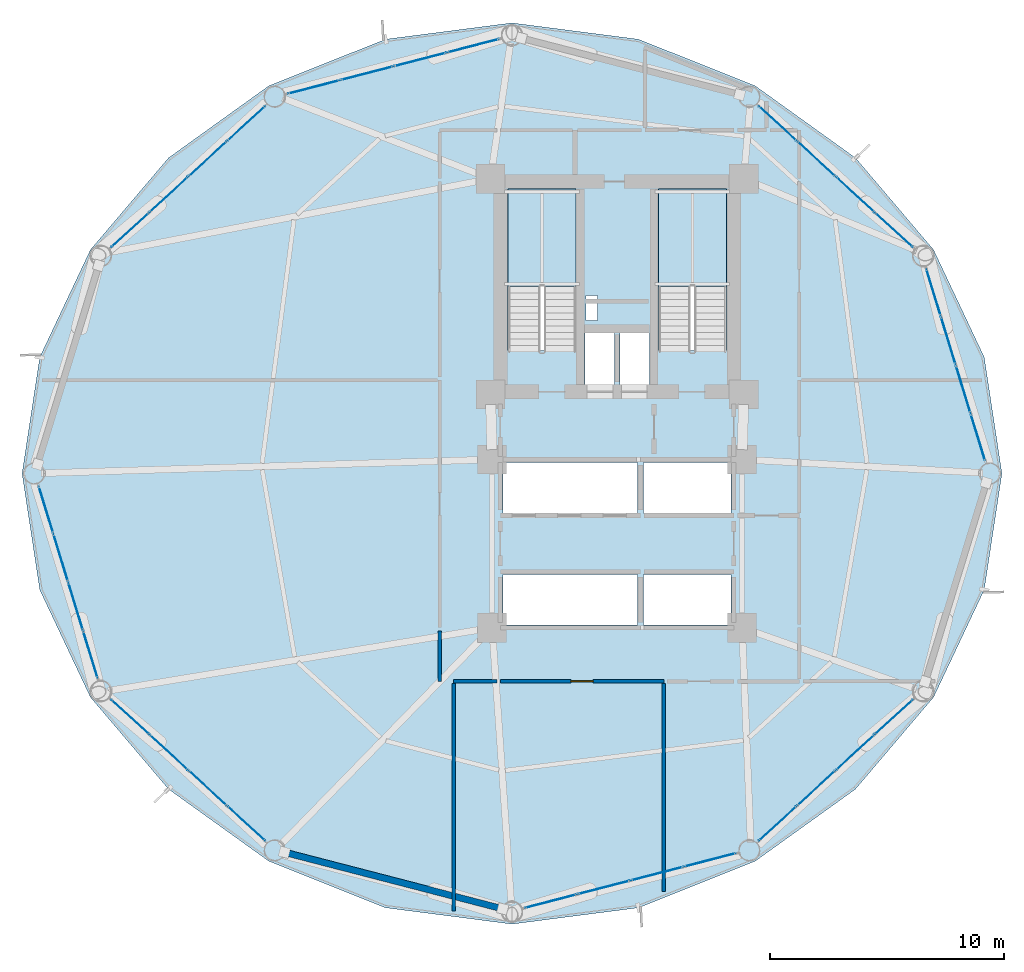
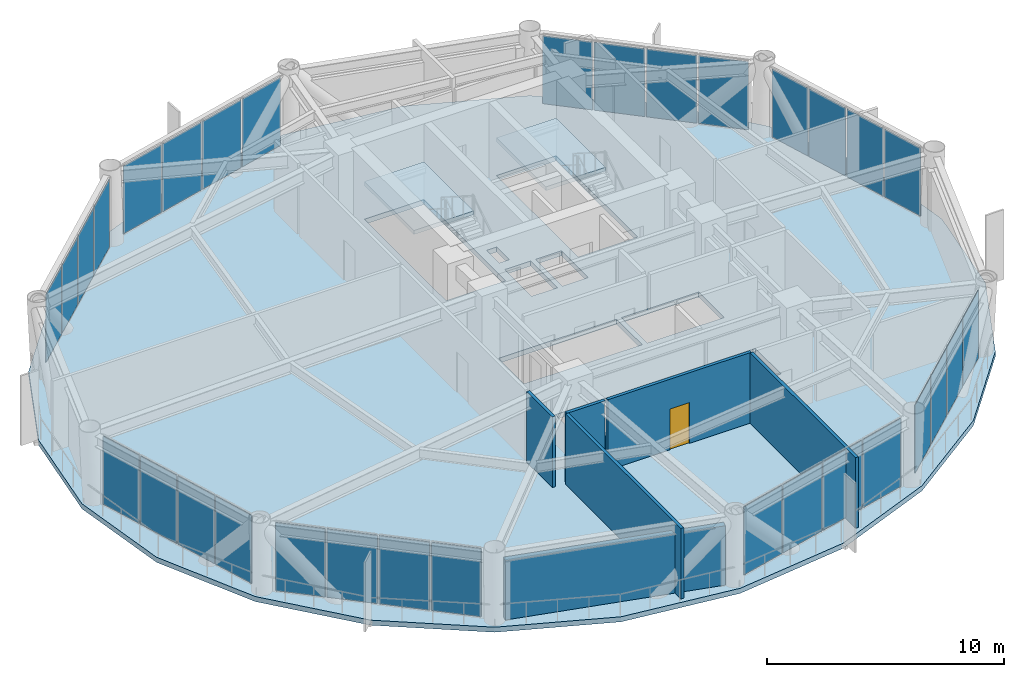
# One storey, part 20 of 25: 32 plates, 6 walls, 3 slabs, 1 door, 1 opening, 10 elements without a shape of their own.
"""IFC4 building model written with IfcOpenShell, lengths in metres."""

from ifc_helpers import new_model, si_unit, direction, frame, frame_2d, origin, origin_2d, place, context, subcontext, project, spatial, polyline, rectangle, outline, extrude, source, transform, mapped, material, layer, layer_set, type_object, type_shapes, element, fill, aggregate, save


model = new_model("IFC4")

# Units and contexts
model_context = context("Model", 3, precision=1e-05, world=origin(), true_north=direction((0.0, 1.0)))
body_context = subcontext(model_context, "Body", "Model", "MODEL_VIEW")
ifc_project = project(units=[si_unit("LENGTHUNIT", "METRE"), si_unit("AREAUNIT", "SQUARE_METRE"), si_unit("VOLUMEUNIT", "CUBIC_METRE"), si_unit("PLANEANGLEUNIT", "RADIAN"), si_unit("MASSUNIT", "GRAM", prefix="KILO")], contexts=[model_context])

# Site, building, storey
site_placement = place(None, origin())
site = spatial("IfcSite", under=ifc_project, at=site_placement, CompositionType="ELEMENT")
building_placement = place(site_placement, origin())
building = spatial("IfcBuilding", under=site, at=building_placement, Name="Varnakorn Sky Granary", CompositionType="ELEMENT")
storey_placement = place(building_placement, frame((0.0, 0.0, 35.39990234375)))
storey = spatial("IfcBuildingStorey", under=building, at=storey_placement, Name="L08", CompositionType="ELEMENT", Elevation=35.39990234375)

# Stair, slab
ifc_material_1 = material(Name="Concrete C40/50", Category="concrete")
stair_type = type_object("IfcStairType", Name="ST-MAIN-ASSEMBLY", PredefinedType="HALF_TURN_STAIR", material=ifc_material_1)
stair_1_placement = place(storey_placement, origin())
stair_1 = element("IfcStair", 1, at=stair_1_placement, inside=storey, type_object=stair_type, Name="L08 Protected Exit Stair ST-1", PredefinedType="HALF_TURN_STAIR")
ifc_layer_1 = layer(ifc_material_1, 0.199951171875, Name="Concrete C40/50")
ifc_layer_set_1 = layer_set([ifc_layer_1], Name="Concrete C40/50")
slab_type_1 = type_object("IfcSlabType", Name="ST-MAIN-LAND", PredefinedType="LANDING", material=ifc_layer_set_1)
slab_1_placement = place(storey_placement, frame((0.0, 0.0, 1.75)))
slab_1 = element("IfcSlab", 2, at=slab_1_placement, type_object=slab_type_1, Name="ST-1 landing 1", PredefinedType="LANDING", context=body_context, shape_type="SweptSolid", body=[
    extrude(outline(polyline([(1.239990234375, 8.0), (1.239990234375, 12.179931640625), (-1.669921875, 12.179931640625), (-1.669921875, 8.0), (1.239990234375, 8.0)])), origin(), (0.0, 0.0, 1.0), 0.2001953125),
])
aggregate(stair_1, [slab_1])

stair_2_placement = place(storey_placement, origin())
stair_2 = element("IfcStair", 3, at=stair_2_placement, inside=storey, type_object=stair_type, Name="L08 Protected Exit Stair ST-2", PredefinedType="HALF_TURN_STAIR")
slab_2_placement = place(storey_placement, frame((0.0, 0.0, 1.75)))
slab_2 = element("IfcSlab", 4, at=slab_2_placement, type_object=slab_type_1, Name="ST-2 landing 1", PredefinedType="LANDING", context=body_context, shape_type="SweptSolid", body=[
    extrude(outline(polyline([(7.679931640625, 8.0), (7.679931640625, 12.179931640625), (4.77001953125, 12.179931640625), (4.77001953125, 8.0), (7.679931640625, 8.0)])), origin(), (0.0, 0.0, 1.0), 0.2001953125),
])
aggregate(stair_2, [slab_2])

# Slab
ifc_material_2 = material(Name="Concrete C50/60", Category="concrete")
ifc_layer_2 = layer(ifc_material_2, 0.260009765625, Name="Concrete C50/60")
ifc_layer_set_2 = layer_set([ifc_layer_2], Name="Concrete C50/60")
slab_type_2 = type_object("IfcSlabType", Name="ST-SL-TWR-260", PredefinedType="FLOOR", material=ifc_layer_set_2)
slab_3_placement = place(storey_placement, frame((0.0, 0.0, -0.260009765625)))
element("IfcSlab", 5, at=slab_3_placement, inside=storey, type_object=slab_type_2, Name="Level L08 Structural Floor Slab", PredefinedType="FLOOR", context=body_context, shape_type="SweptSolid", body=[
    extrude(outline(polyline([(19.47412109375, 0.0), (18.7158203125, 4.981201171875), (16.547119140625, 9.577880859375), (13.20361328125, 13.513427734375), (8.91943359375, 16.589599609375), (3.916748046875, 18.590087890625), (-1.5, 19.291015625), (-6.916748046875, 18.590087890625), (-11.91943359375, 16.589599609375), (-16.20361328125, 13.513427734375), (-19.547119140625, 9.577880859375), (-21.7158203125, 4.981201171875), (-22.47412109375, 0.0), (-21.7158203125, -4.981201171875), (-19.547119140625, -9.577880859375), (-16.20361328125, -13.513427734375), (-11.91943359375, -16.589599609375), (-6.916748046875, -18.590087890625), (-1.5, -19.291015625), (3.916748046875, -18.590087890625), (8.91943359375, -16.589599609375), (13.20361328125, -13.513427734375), (16.547119140625, -9.577880859375), (18.7158203125, -4.981201171875), (19.47412109375, 0.0)]), holes=[polyline([(1.239990234375, 5.27490234375), (1.239990234375, 12.179931640625), (-1.669921875, 12.179931640625), (-1.669921875, 5.27490234375), (1.239990234375, 5.27490234375)]), polyline([(7.679931640625, 5.27490234375), (7.679931640625, 12.179931640625), (4.77001953125, 12.179931640625), (4.77001953125, 5.27490234375), (7.679931640625, 5.27490234375)]), polyline([(1.659912109375, 6.550048828125), (2.14990234375, 6.550048828125), (2.14990234375, 7.6201171875), (1.659912109375, 7.6201171875), (1.659912109375, 6.550048828125)]), polyline([(1.6201171875, 3.739990234375), (2.8798828125, 3.739990234375), (2.8798828125, 6.010009765625), (1.6201171875, 6.010009765625), (1.6201171875, 3.739990234375)]), polyline([(3.1201171875, 3.739990234375), (4.3798828125, 3.739990234375), (4.3798828125, 6.010009765625), (3.1201171875, 6.010009765625), (3.1201171875, 3.739990234375)]), polyline([(-1.8798828125, -1.679931640625), (3.8798828125, -1.679931640625), (3.8798828125, 0.47998046875), (-1.8798828125, 0.47998046875), (-1.8798828125, -1.679931640625)]), polyline([(4.1201171875, -1.679931640625), (7.8798828125, -1.679931640625), (7.8798828125, 0.47998046875), (4.1201171875, 0.47998046875), (4.1201171875, -1.679931640625)]), polyline([(-1.8798828125, -6.47998046875), (3.8798828125, -6.47998046875), (3.8798828125, -4.320068359375), (-1.8798828125, -4.320068359375), (-1.8798828125, -6.47998046875)]), polyline([(4.1201171875, -6.47998046875), (7.8798828125, -6.47998046875), (7.8798828125, -4.320068359375), (4.1201171875, -4.320068359375), (4.1201171875, -6.47998046875)])]), origin(), (0.0, 0.0, 1.0), 0.260009765625),
])

# Curtain wall, plates
ifc_material_3 = material(Name="Anodised Bronze Aluminium Alloy 6063-T6", Category="aluminium")
ifc_layer_3 = layer(ifc_material_3, 0.18994140625, Name="Anodised Bronze Aluminium Alloy 6063-T6")
ifc_layer_set_3 = layer_set([ifc_layer_3], Name="Anodised Bronze Aluminium Alloy 6063-T6")
curtain_wall_type = type_object("IfcCurtainWallType", Name="CW-FRM-1", PredefinedType="USERDEFINED", material=ifc_layer_set_3)
curtain_wall_1_placement = place(storey_placement, origin())
curtain_wall_1 = element("IfcCurtainWall", 6, at=curtain_wall_1_placement, inside=storey, type_object=curtain_wall_type, Name="Unitised Curtain Wall CW3 CW-L08-B01", ObjectType="CURTAIN WALL", PredefinedType="USERDEFINED")
ifc_material_4 = material(Name="Opaque Insulated Aluminium Shadow-Box Unit", Category="aluminium")
ifc_layer_4 = layer(ifc_material_4, 0.028076171875, Name="Opaque Insulated Aluminium Shadow-Box Unit")
ifc_layer_set_4 = layer_set([ifc_layer_4], Name="Opaque Insulated Aluminium Shadow-Box Unit")
plate_type = type_object("IfcPlateType", Name="CW-FRM-1-PNL", PredefinedType="CURTAIN_PANEL")
shared_shape_1 = source(origin(), body_context, "Body", "SweptSolid", [
    extrude(rectangle(XDim=2.069091796875, YDim=0.028076171875, at=origin_2d()), origin(), (0.0, 0.0, 1.0), 3.5),
])
plate_1_placement = place(storey_placement, frame((16.54638671875, 7.752685546875, 0.070068359375), z_axis=(0.0, 0.0, 1.0), x_axis=(0.293216302756, -0.956046128489, 0.0)))
plate_1 = element("IfcPlate", 7, at=plate_1_placement, type_object=plate_type, material=ifc_layer_set_4, Name="CW3 opaque insulated shadow-box unit 1.1", PredefinedType="CURTAIN_PANEL", context=body_context, shape_type="MappedRepresentation", body=[
    mapped(shared_shape_1, transform((0.0, 0.0, 0.0), x_axis=(1.0, 0.0, 0.0), y_axis=(0.0, 1.0, 0.0), z_axis=(0.0, 0.0, 1.0), scale=1.0)),
])
ifc_material_5 = material(Name="Low-E Tinted Laminated Glass", Category="glass")
ifc_layer_5 = layer(ifc_material_5, 0.028076171875, Name="Low-E Tinted Laminated Glass")
ifc_layer_set_5 = layer_set([ifc_layer_5], Name="Low-E Tinted Laminated Glass")
plate_2_placement = place(storey_placement, frame((18.448486328125, 1.55029296875, 0.070068359375), z_axis=(0.0, 0.0, 1.0), x_axis=(0.293216302756, -0.956046128489, 0.0)))
plate_2 = element("IfcPlate", 8, at=plate_2_placement, type_object=plate_type, material=ifc_layer_set_5, Name="CW3 vision glazing unit 4.1", PredefinedType="CURTAIN_PANEL", context=body_context, shape_type="MappedRepresentation", body=[
    mapped(shared_shape_1, transform((0.0, 0.0, 0.0), x_axis=(1.0, 0.0, 0.0), y_axis=(0.0, 1.0, 0.0), z_axis=(0.0, 0.0, 1.0), scale=1.0)),
])

curtain_wall_2_placement = place(storey_placement, origin())
curtain_wall_2 = element("IfcCurtainWall", 9, at=curtain_wall_2_placement, inside=storey, type_object=curtain_wall_type, Name="Unitised Curtain Wall CW3 CW-L08-B07", ObjectType="CURTAIN WALL", PredefinedType="USERDEFINED")
plate_3_placement = place(storey_placement, frame((-19.54638671875, -7.752685546875, 0.070068359375), z_axis=(0.0, 0.0, 1.0), x_axis=(-0.293216302756, 0.956046128489, 0.0)))
plate_3 = element("IfcPlate", 10, at=plate_3_placement, type_object=plate_type, material=ifc_layer_set_4, Name="CW3 opaque insulated shadow-box unit 1.1", PredefinedType="CURTAIN_PANEL", context=body_context, shape_type="MappedRepresentation", body=[
    mapped(shared_shape_1, transform((0.0, 0.0, 0.0), x_axis=(1.0, 0.0, 0.0), y_axis=(0.0, 1.0, 0.0), z_axis=(0.0, 0.0, 1.0), scale=1.0)),
])
plate_4_placement = place(storey_placement, frame((-21.448486328125, -1.55029296875, 0.070068359375), z_axis=(0.0, 0.0, 1.0), x_axis=(-0.293216302756, 0.956046128489, 0.0)))
plate_4 = element("IfcPlate", 11, at=plate_4_placement, type_object=plate_type, material=ifc_layer_set_5, Name="CW3 vision glazing unit 4.1", PredefinedType="CURTAIN_PANEL", context=body_context, shape_type="MappedRepresentation", body=[
    mapped(shared_shape_1, transform((0.0, 0.0, 0.0), x_axis=(1.0, 0.0, 0.0), y_axis=(0.0, 1.0, 0.0), z_axis=(0.0, 0.0, 1.0), scale=1.0)),
])

# Plate
shared_shape_2 = source(origin(), body_context, "Body", "SweptSolid", [
    extrude(rectangle(XDim=2.104248046875, YDim=0.028076171875, at=origin_2d()), origin(), (0.0, 0.0, 1.0), 3.5),
])
plate_5_placement = place(storey_placement, frame((17.1787109375, 5.69091796875, 0.070068359375), z_axis=(0.0, 0.0, 1.0), x_axis=(0.293216302756, -0.956046128489, 0.0)))
plate_5 = element("IfcPlate", 12, at=plate_5_placement, type_object=plate_type, material=ifc_layer_set_4, Name="CW3 opaque insulated shadow-box unit 2.1", PredefinedType="CURTAIN_PANEL", context=body_context, shape_type="MappedRepresentation", body=[
    mapped(shared_shape_2, transform((0.0, 0.0, 0.0), x_axis=(1.0, 0.0, 0.0), y_axis=(0.0, 1.0, 0.0), z_axis=(0.0, 0.0, 1.0), scale=1.0)),
])

plate_6_placement = place(storey_placement, frame((17.816162109375, 3.6123046875, 0.070068359375), z_axis=(0.0, 0.0, 1.0), x_axis=(0.293216302756, -0.956046128489, 0.0)))
plate_6 = element("IfcPlate", 13, at=plate_6_placement, type_object=plate_type, material=ifc_layer_set_5, Name="CW3 vision glazing unit 3.1", PredefinedType="CURTAIN_PANEL", context=body_context, shape_type="MappedRepresentation", body=[
    mapped(shared_shape_2, transform((0.0, 0.0, 0.0), x_axis=(1.0, 0.0, 0.0), y_axis=(0.0, 1.0, 0.0), z_axis=(0.0, 0.0, 1.0), scale=1.0)),
])

aggregate(curtain_wall_1, [plate_1, plate_5, plate_6, plate_2])

plate_7_placement = place(storey_placement, frame((-20.1787109375, -5.69091796875, 0.070068359375), z_axis=(0.0, 0.0, 1.0), x_axis=(-0.293216302756, 0.956046128489, 0.0)))
plate_7 = element("IfcPlate", 14, at=plate_7_placement, type_object=plate_type, material=ifc_layer_set_4, Name="CW3 opaque insulated shadow-box unit 2.1", PredefinedType="CURTAIN_PANEL", context=body_context, shape_type="MappedRepresentation", body=[
    mapped(shared_shape_2, transform((0.0, 0.0, 0.0), x_axis=(1.0, 0.0, 0.0), y_axis=(0.0, 1.0, 0.0), z_axis=(0.0, 0.0, 1.0), scale=1.0)),
])

plate_8_placement = place(storey_placement, frame((-20.816162109375, -3.6123046875, 0.070068359375), z_axis=(0.0, 0.0, 1.0), x_axis=(-0.293216302756, 0.956046128489, 0.0)))
plate_8 = element("IfcPlate", 15, at=plate_8_placement, type_object=plate_type, material=ifc_layer_set_5, Name="CW3 vision glazing unit 3.1", PredefinedType="CURTAIN_PANEL", context=body_context, shape_type="MappedRepresentation", body=[
    mapped(shared_shape_2, transform((0.0, 0.0, 0.0), x_axis=(1.0, 0.0, 0.0), y_axis=(0.0, 1.0, 0.0), z_axis=(0.0, 0.0, 1.0), scale=1.0)),
])

aggregate(curtain_wall_2, [plate_3, plate_7, plate_8, plate_4])

# Curtain wall, plates
curtain_wall_3_placement = place(storey_placement, origin())
curtain_wall_3 = element("IfcCurtainWall", 16, at=curtain_wall_3_placement, inside=storey, type_object=curtain_wall_type, Name="Unitised Curtain Wall CW3 CW-L08-B02", ObjectType="CURTAIN WALL", PredefinedType="USERDEFINED")
shared_shape_3 = source(origin(), body_context, "Body", "SweptSolid", [
    extrude(rectangle(XDim=2.155517578125, YDim=0.028076171875, at=origin_2d()), origin(), (0.0, 0.0, 1.0), 3.5),
])
plate_9_placement = place(storey_placement, frame((9.871337890625, 14.988037109375, 0.070068359375), z_axis=(0.0, 0.0, 1.0), x_axis=(0.737013193375, -0.675878356504, 0.0)))
plate_9 = element("IfcPlate", 17, at=plate_9_placement, type_object=plate_type, material=ifc_layer_set_5, Name="CW3 vision glazing unit 1.1", PredefinedType="CURTAIN_PANEL", context=body_context, shape_type="MappedRepresentation", body=[
    mapped(shared_shape_3, transform((0.0, 0.0, 0.0), x_axis=(1.0, 0.0, 0.0), y_axis=(0.0, 1.0, 0.0), z_axis=(0.0, 0.0, 1.0), scale=1.0)),
])
plate_10_placement = place(storey_placement, frame((14.84375, 10.42822265625, 0.070068359375), z_axis=(0.0, 0.0, 1.0), x_axis=(0.737013193375, -0.675878356504, 0.0)))
plate_10 = element("IfcPlate", 18, at=plate_10_placement, type_object=plate_type, material=ifc_layer_set_4, Name="CW3 opaque insulated shadow-box unit 4.1", PredefinedType="CURTAIN_PANEL", context=body_context, shape_type="MappedRepresentation", body=[
    mapped(shared_shape_3, transform((0.0, 0.0, 0.0), x_axis=(1.0, 0.0, 0.0), y_axis=(0.0, 1.0, 0.0), z_axis=(0.0, 0.0, 1.0), scale=1.0)),
])

curtain_wall_4_placement = place(storey_placement, origin())
curtain_wall_4 = element("IfcCurtainWall", 19, at=curtain_wall_4_placement, inside=storey, type_object=curtain_wall_type, Name="Unitised Curtain Wall CW3 CW-L08-B05", ObjectType="CURTAIN WALL", PredefinedType="USERDEFINED")
plate_11_placement = place(storey_placement, frame((-17.84375, 10.42822265625, 0.070068359375), z_axis=(0.0, 0.0, 1.0), x_axis=(0.737013193375, 0.675878356504, 0.0)))
plate_11 = element("IfcPlate", 20, at=plate_11_placement, type_object=plate_type, material=ifc_layer_set_4, Name="CW3 opaque insulated shadow-box unit 1.1", PredefinedType="CURTAIN_PANEL", context=body_context, shape_type="MappedRepresentation", body=[
    mapped(shared_shape_3, transform((0.0, 0.0, 0.0), x_axis=(1.0, 0.0, 0.0), y_axis=(0.0, 1.0, 0.0), z_axis=(0.0, 0.0, 1.0), scale=1.0)),
])
plate_12_placement = place(storey_placement, frame((-12.871337890625, 14.988037109375, 0.070068359375), z_axis=(0.0, 0.0, 1.0), x_axis=(0.737013193375, 0.675878356504, 0.0)))
plate_12 = element("IfcPlate", 21, at=plate_12_placement, type_object=plate_type, material=ifc_layer_set_5, Name="CW3 vision glazing unit 4.1", PredefinedType="CURTAIN_PANEL", context=body_context, shape_type="MappedRepresentation", body=[
    mapped(shared_shape_3, transform((0.0, 0.0, 0.0), x_axis=(1.0, 0.0, 0.0), y_axis=(0.0, 1.0, 0.0), z_axis=(0.0, 0.0, 1.0), scale=1.0)),
])

curtain_wall_5_placement = place(storey_placement, origin())
curtain_wall_5 = element("IfcCurtainWall", 22, at=curtain_wall_5_placement, inside=storey, type_object=curtain_wall_type, Name="Unitised Curtain Wall CW3 CW-L08-B08", ObjectType="CURTAIN WALL", PredefinedType="USERDEFINED")
plate_13_placement = place(storey_placement, frame((-12.871337890625, -14.988037109375, 0.070068359375), z_axis=(0.0, 0.0, 1.0), x_axis=(-0.737013193375, 0.675878356504, 0.0)))
plate_13 = element("IfcPlate", 23, at=plate_13_placement, type_object=plate_type, material=ifc_layer_set_5, Name="CW3 vision glazing unit 1.1", PredefinedType="CURTAIN_PANEL", context=body_context, shape_type="MappedRepresentation", body=[
    mapped(shared_shape_3, transform((0.0, 0.0, 0.0), x_axis=(1.0, 0.0, 0.0), y_axis=(0.0, 1.0, 0.0), z_axis=(0.0, 0.0, 1.0), scale=1.0)),
])
plate_14_placement = place(storey_placement, frame((-17.84375, -10.42822265625, 0.070068359375), z_axis=(0.0, 0.0, 1.0), x_axis=(-0.737013193375, 0.675878356504, 0.0)))
plate_14 = element("IfcPlate", 24, at=plate_14_placement, type_object=plate_type, material=ifc_layer_set_4, Name="CW3 opaque insulated shadow-box unit 4.1", PredefinedType="CURTAIN_PANEL", context=body_context, shape_type="MappedRepresentation", body=[
    mapped(shared_shape_3, transform((0.0, 0.0, 0.0), x_axis=(1.0, 0.0, 0.0), y_axis=(0.0, 1.0, 0.0), z_axis=(0.0, 0.0, 1.0), scale=1.0)),
])

curtain_wall_6_placement = place(storey_placement, origin())
curtain_wall_6 = element("IfcCurtainWall", 25, at=curtain_wall_6_placement, inside=storey, type_object=curtain_wall_type, Name="Unitised Curtain Wall CW3 CW-L08-B11", ObjectType="CURTAIN WALL", PredefinedType="USERDEFINED")
plate_15_placement = place(storey_placement, frame((14.84375, -10.42822265625, 0.070068359375), z_axis=(0.0, 0.0, 1.0), x_axis=(-0.737013193375, -0.675878356504, 0.0)))
plate_15 = element("IfcPlate", 26, at=plate_15_placement, type_object=plate_type, material=ifc_layer_set_4, Name="CW3 opaque insulated shadow-box unit 1.1", PredefinedType="CURTAIN_PANEL", context=body_context, shape_type="MappedRepresentation", body=[
    mapped(shared_shape_3, transform((0.0, 0.0, 0.0), x_axis=(1.0, 0.0, 0.0), y_axis=(0.0, 1.0, 0.0), z_axis=(0.0, 0.0, 1.0), scale=1.0)),
])
plate_16_placement = place(storey_placement, frame((9.871337890625, -14.988037109375, 0.070068359375), z_axis=(0.0, 0.0, 1.0), x_axis=(-0.737013193375, -0.675878356504, 0.0)))
plate_16 = element("IfcPlate", 27, at=plate_16_placement, type_object=plate_type, material=ifc_layer_set_5, Name="CW3 vision glazing unit 4.1", PredefinedType="CURTAIN_PANEL", context=body_context, shape_type="MappedRepresentation", body=[
    mapped(shared_shape_3, transform((0.0, 0.0, 0.0), x_axis=(1.0, 0.0, 0.0), y_axis=(0.0, 1.0, 0.0), z_axis=(0.0, 0.0, 1.0), scale=1.0)),
])

# Plate
shared_shape_4 = source(origin(), body_context, "Body", "SweptSolid", [
    extrude(rectangle(XDim=2.190673828125, YDim=0.028076171875, at=origin_2d()), origin(), (0.0, 0.0, 1.0), 3.5),
])
plate_17_placement = place(storey_placement, frame((11.524658203125, 13.47216796875, 0.070068359375), z_axis=(0.0, 0.0, 1.0), x_axis=(0.737013193375, -0.675878356504, 0.0)))
plate_17 = element("IfcPlate", 28, at=plate_17_placement, type_object=plate_type, material=ifc_layer_set_5, Name="CW3 vision glazing unit 2.1", PredefinedType="CURTAIN_PANEL", context=body_context, shape_type="MappedRepresentation", body=[
    mapped(shared_shape_4, transform((0.0, 0.0, 0.0), x_axis=(1.0, 0.0, 0.0), y_axis=(0.0, 1.0, 0.0), z_axis=(0.0, 0.0, 1.0), scale=1.0)),
])

plate_18_placement = place(storey_placement, frame((13.190673828125, 11.944091796875, 0.070068359375), z_axis=(0.0, 0.0, 1.0), x_axis=(0.737013193375, -0.675878356504, 0.0)))
plate_18 = element("IfcPlate", 29, at=plate_18_placement, type_object=plate_type, material=ifc_layer_set_4, Name="CW3 opaque insulated shadow-box unit 3.1", PredefinedType="CURTAIN_PANEL", context=body_context, shape_type="MappedRepresentation", body=[
    mapped(shared_shape_4, transform((0.0, 0.0, 0.0), x_axis=(1.0, 0.0, 0.0), y_axis=(0.0, 1.0, 0.0), z_axis=(0.0, 0.0, 1.0), scale=1.0)),
])

aggregate(curtain_wall_3, [plate_9, plate_17, plate_18, plate_10])

plate_19_placement = place(storey_placement, frame((-16.190673828125, 11.944091796875, 0.070068359375), z_axis=(0.0, 0.0, 1.0), x_axis=(0.737013193375, 0.675878356504, 0.0)))
plate_19 = element("IfcPlate", 30, at=plate_19_placement, type_object=plate_type, material=ifc_layer_set_4, Name="CW3 opaque insulated shadow-box unit 2.1", PredefinedType="CURTAIN_PANEL", context=body_context, shape_type="MappedRepresentation", body=[
    mapped(shared_shape_4, transform((0.0, 0.0, 0.0), x_axis=(1.0, 0.0, 0.0), y_axis=(0.0, 1.0, 0.0), z_axis=(0.0, 0.0, 1.0), scale=1.0)),
])

plate_20_placement = place(storey_placement, frame((-14.524658203125, 13.47216796875, 0.070068359375), z_axis=(0.0, 0.0, 1.0), x_axis=(0.737013193375, 0.675878356504, 0.0)))
plate_20 = element("IfcPlate", 31, at=plate_20_placement, type_object=plate_type, material=ifc_layer_set_5, Name="CW3 vision glazing unit 3.1", PredefinedType="CURTAIN_PANEL", context=body_context, shape_type="MappedRepresentation", body=[
    mapped(shared_shape_4, transform((0.0, 0.0, 0.0), x_axis=(1.0, 0.0, 0.0), y_axis=(0.0, 1.0, 0.0), z_axis=(0.0, 0.0, 1.0), scale=1.0)),
])

aggregate(curtain_wall_4, [plate_11, plate_19, plate_20, plate_12])

plate_21_placement = place(storey_placement, frame((-14.524658203125, -13.47216796875, 0.070068359375), z_axis=(0.0, 0.0, 1.0), x_axis=(-0.737013193375, 0.675878356504, 0.0)))
plate_21 = element("IfcPlate", 32, at=plate_21_placement, type_object=plate_type, material=ifc_layer_set_5, Name="CW3 vision glazing unit 2.1", PredefinedType="CURTAIN_PANEL", context=body_context, shape_type="MappedRepresentation", body=[
    mapped(shared_shape_4, transform((0.0, 0.0, 0.0), x_axis=(1.0, 0.0, 0.0), y_axis=(0.0, 1.0, 0.0), z_axis=(0.0, 0.0, 1.0), scale=1.0)),
])

plate_22_placement = place(storey_placement, frame((-16.190673828125, -11.944091796875, 0.070068359375), z_axis=(0.0, 0.0, 1.0), x_axis=(-0.737013193375, 0.675878356504, 0.0)))
plate_22 = element("IfcPlate", 33, at=plate_22_placement, type_object=plate_type, material=ifc_layer_set_4, Name="CW3 opaque insulated shadow-box unit 3.1", PredefinedType="CURTAIN_PANEL", context=body_context, shape_type="MappedRepresentation", body=[
    mapped(shared_shape_4, transform((0.0, 0.0, 0.0), x_axis=(1.0, 0.0, 0.0), y_axis=(0.0, 1.0, 0.0), z_axis=(0.0, 0.0, 1.0), scale=1.0)),
])

aggregate(curtain_wall_5, [plate_13, plate_21, plate_22, plate_14])

plate_23_placement = place(storey_placement, frame((13.190673828125, -11.944091796875, 0.070068359375), z_axis=(0.0, 0.0, 1.0), x_axis=(-0.737013193375, -0.675878356504, 0.0)))
plate_23 = element("IfcPlate", 34, at=plate_23_placement, type_object=plate_type, material=ifc_layer_set_4, Name="CW3 opaque insulated shadow-box unit 2.1", PredefinedType="CURTAIN_PANEL", context=body_context, shape_type="MappedRepresentation", body=[
    mapped(shared_shape_4, transform((0.0, 0.0, 0.0), x_axis=(1.0, 0.0, 0.0), y_axis=(0.0, 1.0, 0.0), z_axis=(0.0, 0.0, 1.0), scale=1.0)),
])

plate_24_placement = place(storey_placement, frame((11.524658203125, -13.47216796875, 0.070068359375), z_axis=(0.0, 0.0, 1.0), x_axis=(-0.737013193375, -0.675878356504, 0.0)))
plate_24 = element("IfcPlate", 35, at=plate_24_placement, type_object=plate_type, material=ifc_layer_set_5, Name="CW3 vision glazing unit 3.1", PredefinedType="CURTAIN_PANEL", context=body_context, shape_type="MappedRepresentation", body=[
    mapped(shared_shape_4, transform((0.0, 0.0, 0.0), x_axis=(1.0, 0.0, 0.0), y_axis=(0.0, 1.0, 0.0), z_axis=(0.0, 0.0, 1.0), scale=1.0)),
])

aggregate(curtain_wall_6, [plate_15, plate_23, plate_24, plate_16])

# Curtain wall, plates
curtain_wall_7_placement = place(storey_placement, origin())
curtain_wall_7 = element("IfcCurtainWall", 36, at=curtain_wall_7_placement, inside=storey, type_object=curtain_wall_type, Name="Unitised Curtain Wall CW3 CW-L08-B04", ObjectType="CURTAIN WALL", PredefinedType="USERDEFINED")
shared_shape_5 = source(origin(), body_context, "Body", "SweptSolid", [
    extrude(rectangle(XDim=2.25634765625, YDim=0.028076171875, at=origin_2d()), origin(), (0.0, 0.0, 1.0), 3.5),
])
plate_25_placement = place(storey_placement, frame((-9.984130859375, 16.54345703125, 0.070068359375), z_axis=(0.0, 0.0, 1.0), x_axis=(0.968049269209, 0.250760069357, 0.0)))
plate_25 = element("IfcPlate", 37, at=plate_25_placement, type_object=plate_type, material=ifc_layer_set_5, Name="CW3 vision glazing unit 1.1", PredefinedType="CURTAIN_PANEL", context=body_context, shape_type="MappedRepresentation", body=[
    mapped(shared_shape_5, transform((0.0, 0.0, 0.0), x_axis=(1.0, 0.0, 0.0), y_axis=(0.0, 1.0, 0.0), z_axis=(0.0, 0.0, 1.0), scale=1.0)),
])
plate_26_placement = place(storey_placement, frame((-3.160400390625, 18.31103515625, 0.070068359375), z_axis=(0.0, 0.0, 1.0), x_axis=(0.968049269209, 0.250760069357, 0.0)))
plate_26 = element("IfcPlate", 38, at=plate_26_placement, type_object=plate_type, material=ifc_layer_set_4, Name="CW3 opaque insulated shadow-box unit 4.1", PredefinedType="CURTAIN_PANEL", context=body_context, shape_type="MappedRepresentation", body=[
    mapped(shared_shape_5, transform((0.0, 0.0, 0.0), x_axis=(1.0, 0.0, 0.0), y_axis=(0.0, 1.0, 0.0), z_axis=(0.0, 0.0, 1.0), scale=1.0)),
])

curtain_wall_8_placement = place(storey_placement, origin())
curtain_wall_8 = element("IfcCurtainWall", 39, at=curtain_wall_8_placement, inside=storey, type_object=curtain_wall_type, Name="Unitised Curtain Wall CW3 CW-L08-B10", ObjectType="CURTAIN WALL", PredefinedType="USERDEFINED")
plate_27_placement = place(storey_placement, frame((6.984130859375, -16.54345703125, 0.070068359375), z_axis=(0.0, 0.0, 1.0), x_axis=(-0.968049269209, -0.250760069357, 0.0)))
plate_27 = element("IfcPlate", 40, at=plate_27_placement, type_object=plate_type, material=ifc_layer_set_5, Name="CW3 vision glazing unit 1.1", PredefinedType="CURTAIN_PANEL", context=body_context, shape_type="MappedRepresentation", body=[
    mapped(shared_shape_5, transform((0.0, 0.0, 0.0), x_axis=(1.0, 0.0, 0.0), y_axis=(0.0, 1.0, 0.0), z_axis=(0.0, 0.0, 1.0), scale=1.0)),
])
plate_28_placement = place(storey_placement, frame((0.160400390625, -18.31103515625, 0.070068359375), z_axis=(0.0, 0.0, 1.0), x_axis=(-0.968049269209, -0.250760069357, 0.0)))
plate_28 = element("IfcPlate", 41, at=plate_28_placement, type_object=plate_type, material=ifc_layer_set_4, Name="CW3 opaque insulated shadow-box unit 4.1", PredefinedType="CURTAIN_PANEL", context=body_context, shape_type="MappedRepresentation", body=[
    mapped(shared_shape_5, transform((0.0, 0.0, 0.0), x_axis=(1.0, 0.0, 0.0), y_axis=(0.0, 1.0, 0.0), z_axis=(0.0, 0.0, 1.0), scale=1.0)),
])

# Plate
shared_shape_6 = source(origin(), body_context, "Body", "SweptSolid", [
    extrude(rectangle(XDim=2.291259765625, YDim=0.028076171875, at=origin_2d()), origin(), (0.0, 0.0, 1.0), 3.5),
])
type_shapes(plate_type, [shared_shape_1, shared_shape_2, shared_shape_3, shared_shape_4, shared_shape_5, shared_shape_6])
plate_29_placement = place(storey_placement, frame((-7.715087890625, 17.131103515625, 0.070068359375), z_axis=(0.0, 0.0, 1.0), x_axis=(0.968049269209, 0.250760069357, 0.0)))
plate_29 = element("IfcPlate", 42, at=plate_29_placement, type_object=plate_type, material=ifc_layer_set_5, Name="CW3 vision glazing unit 2.1", PredefinedType="CURTAIN_PANEL", context=body_context, shape_type="MappedRepresentation", body=[
    mapped(shared_shape_6, transform((0.0, 0.0, 0.0), x_axis=(1.0, 0.0, 0.0), y_axis=(0.0, 1.0, 0.0), z_axis=(0.0, 0.0, 1.0), scale=1.0)),
])

plate_30_placement = place(storey_placement, frame((-5.42919921875, 17.72314453125, 0.070068359375), z_axis=(0.0, 0.0, 1.0), x_axis=(0.968049269209, 0.250760069357, 0.0)))
plate_30 = element("IfcPlate", 43, at=plate_30_placement, type_object=plate_type, material=ifc_layer_set_4, Name="CW3 opaque insulated shadow-box unit 3.1", PredefinedType="CURTAIN_PANEL", context=body_context, shape_type="MappedRepresentation", body=[
    mapped(shared_shape_6, transform((0.0, 0.0, 0.0), x_axis=(1.0, 0.0, 0.0), y_axis=(0.0, 1.0, 0.0), z_axis=(0.0, 0.0, 1.0), scale=1.0)),
])

aggregate(curtain_wall_7, [plate_25, plate_29, plate_30, plate_26])

plate_31_placement = place(storey_placement, frame((4.715087890625, -17.131103515625, 0.070068359375), z_axis=(0.0, 0.0, 1.0), x_axis=(-0.968049269209, -0.250760069357, 0.0)))
plate_31 = element("IfcPlate", 44, at=plate_31_placement, type_object=plate_type, material=ifc_layer_set_5, Name="CW3 vision glazing unit 2.1", PredefinedType="CURTAIN_PANEL", context=body_context, shape_type="MappedRepresentation", body=[
    mapped(shared_shape_6, transform((0.0, 0.0, 0.0), x_axis=(1.0, 0.0, 0.0), y_axis=(0.0, 1.0, 0.0), z_axis=(0.0, 0.0, 1.0), scale=1.0)),
])

plate_32_placement = place(storey_placement, frame((2.42919921875, -17.72314453125, 0.070068359375), z_axis=(0.0, 0.0, 1.0), x_axis=(-0.968049269209, -0.250760069357, 0.0)))
plate_32 = element("IfcPlate", 45, at=plate_32_placement, type_object=plate_type, material=ifc_layer_set_4, Name="CW3 opaque insulated shadow-box unit 3.1", PredefinedType="CURTAIN_PANEL", context=body_context, shape_type="MappedRepresentation", body=[
    mapped(shared_shape_6, transform((0.0, 0.0, 0.0), x_axis=(1.0, 0.0, 0.0), y_axis=(0.0, 1.0, 0.0), z_axis=(0.0, 0.0, 1.0), scale=1.0)),
])

aggregate(curtain_wall_8, [plate_27, plate_31, plate_32, plate_28])

# Wall
ifc_material_6 = material(Name="Precast concrete C40/50", Category="concrete")
ifc_layer_6 = layer(ifc_material_6, 0.280029296875, Name="Precast concrete C40/50")
ifc_layer_set_6 = layer_set([ifc_layer_6], Name="Precast concrete C40/50")
wall_type_1 = type_object("IfcWallType", Name="WT-EW-CRN-280", PredefinedType="SOLIDWALL", material=ifc_layer_set_6)
wall_1_placement = place(storey_placement, frame((-1.898681640625, -18.6376953125, 0.0), z_axis=(0.0, 0.0, 1.0), x_axis=(-0.968050566809, 0.250755059972, 0.0)))
element("IfcWall", 46, at=wall_1_placement, inside=storey, type_object=wall_type_1, Name="Agritech Insulated Precast Facade Wall L08-P09", PredefinedType="SOLIDWALL", context=body_context, shape_type="SweptSolid", body=[
    extrude(rectangle(XDim=9.655517578125, YDim=0.280029296875, at=frame_2d((4.82763671875, 0.0))), origin(), (0.0, 0.0, 1.0), 3.06005859375),
])

# Wall, opening, door
ifc_material_7 = material(Name="Gypsum Plasterboard on Steel Stud", Category="steel")
ifc_layer_7 = layer(ifc_material_7, 0.14990234375, Name="Gypsum Plasterboard on Steel Stud")
ifc_layer_set_7 = layer_set([ifc_layer_7], Name="Gypsum Plasterboard on Steel Stud")
wall_type_2 = type_object("IfcWallType", Name="WT-PART-150", PredefinedType="PARTITIONING", material=ifc_layer_set_7)
wall_2_placement = place(storey_placement, frame((-2.0, -8.89990234375, 0.0), z_axis=(0.0, 0.0, 1.0), x_axis=(1.0, 0.0, 0.0)))
wall_2 = element("IfcWall", 47, at=wall_2_placement, inside=storey, type_object=wall_type_2, Name="Interior Partition Wall L08-023", PredefinedType="PARTITIONING", context=body_context, shape_type="SweptSolid", body=[
    extrude(rectangle(XDim=7.0, YDim=0.14990234375, at=frame_2d((3.5, 0.0))), origin(), (0.0, 0.0, 1.0), 3.64013671875),
])
opening_placement = place(wall_2_placement, frame((3.02490234375, 0.0, 0.0)))
opening = element("IfcOpeningElement", 48, at=opening_placement, cuts=wall_2, Name="Opening ID-95", PredefinedType="OPENING", context=body_context, shape_type="SweptSolid", body=[
    extrude(rectangle(XDim=0.949951171875, YDim=2.10009765625, at=frame_2d((0.47509765625, 1.050048828125))), frame((0.0, 0.0849609375, 0.0), z_axis=(0.0, -1.0, 0.0), x_axis=(1.0, 0.0, 0.0)), (0.0, 0.0, 1.0), 0.169921875),
])
ifc_material_8 = material(Name="Solid-Core Teak Veneer Leaf", Category="timber")
door_type = type_object("IfcDoorType", Name="DR-INT-950", OperationType="NOTDEFINED", PredefinedType="DOOR", material=ifc_material_8)
door_placement = place(opening_placement, origin())
door = element("IfcDoor", 49, at=door_placement, inside=storey, type_object=door_type, Name="Interior Door L08-023-1", OperationType="SINGLE_SWING_RIGHT", OverallHeight=2.10009765625, OverallWidth=0.949951171875, PredefinedType="DOOR", context=body_context, shape_type="SweptSolid", body=[
    extrude(rectangle(XDim=0.949951171875, YDim=2.10009765625, at=frame_2d((0.47509765625, 1.050048828125))), frame((0.0, 0.02490234375, 0.0), z_axis=(0.0, -1.0, 0.0), x_axis=(1.0, 0.0, 0.0)), (0.0, 0.0, 1.0), 0.050048828125),
])
fill(opening, door)

# Walls
wall_3_placement = place(storey_placement, frame((-4.0, -8.89990234375, 0.0), z_axis=(0.0, 0.0, 1.0), x_axis=(1.0, 0.0, 0.0)))
element("IfcWall", 50, at=wall_3_placement, inside=storey, type_object=wall_type_2, Name="Interior Partition Wall L08-032", PredefinedType="PARTITIONING", context=body_context, shape_type="SweptSolid", body=[
    extrude(rectangle(XDim=1.864990234375, YDim=0.14990234375, at=frame_2d((0.9326171875, 0.0))), origin(), (0.0, 0.0, 1.0), 3.64013671875),
])
wall_4_placement = place(storey_placement, frame((5.0, -8.985107421875, 0.0), z_axis=(0.0, 0.0, 1.0), x_axis=(0.0, -1.0, 0.0)))
element("IfcWall", 51, at=wall_4_placement, inside=storey, type_object=wall_type_2, Name="Interior Partition Wall L08-033", PredefinedType="PARTITIONING", context=body_context, shape_type="SweptSolid", body=[
    extrude(rectangle(XDim=8.915771484375, YDim=0.14990234375, at=frame_2d((4.4580078125, 0.0))), origin(), (0.0, 0.0, 1.0), 3.64013671875),
])
wall_5_placement = place(storey_placement, frame((-4.0, -18.72802734375, 0.0), z_axis=(0.0, 0.0, 1.0), x_axis=(0.0, 1.0, 0.0)))
element("IfcWall", 52, at=wall_5_placement, inside=storey, type_object=wall_type_2, Name="Interior Partition Wall L08-034", PredefinedType="PARTITIONING", context=body_context, shape_type="SweptSolid", body=[
    extrude(rectangle(XDim=9.742919921875, YDim=0.14990234375, at=frame_2d((4.87158203125, 0.0))), origin(), (0.0, 0.0, 1.0), 3.64013671875),
])
wall_6_placement = place(storey_placement, frame((-4.60009765625, -6.735107421875, 0.0), z_axis=(0.0, 0.0, 1.0), x_axis=(0.0, -1.0, 0.0)))
element("IfcWall", 53, at=wall_6_placement, inside=storey, type_object=wall_type_2, Name="Interior Partition Wall L08-037", PredefinedType="PARTITIONING", context=body_context, shape_type="SweptSolid", body=[
    extrude(rectangle(XDim=2.164794921875, YDim=0.14990234375, at=frame_2d((1.08251953125, 0.0))), origin(), (0.0, 0.0, 1.0), 3.64013671875),
])

save(model, "model.ifc")
